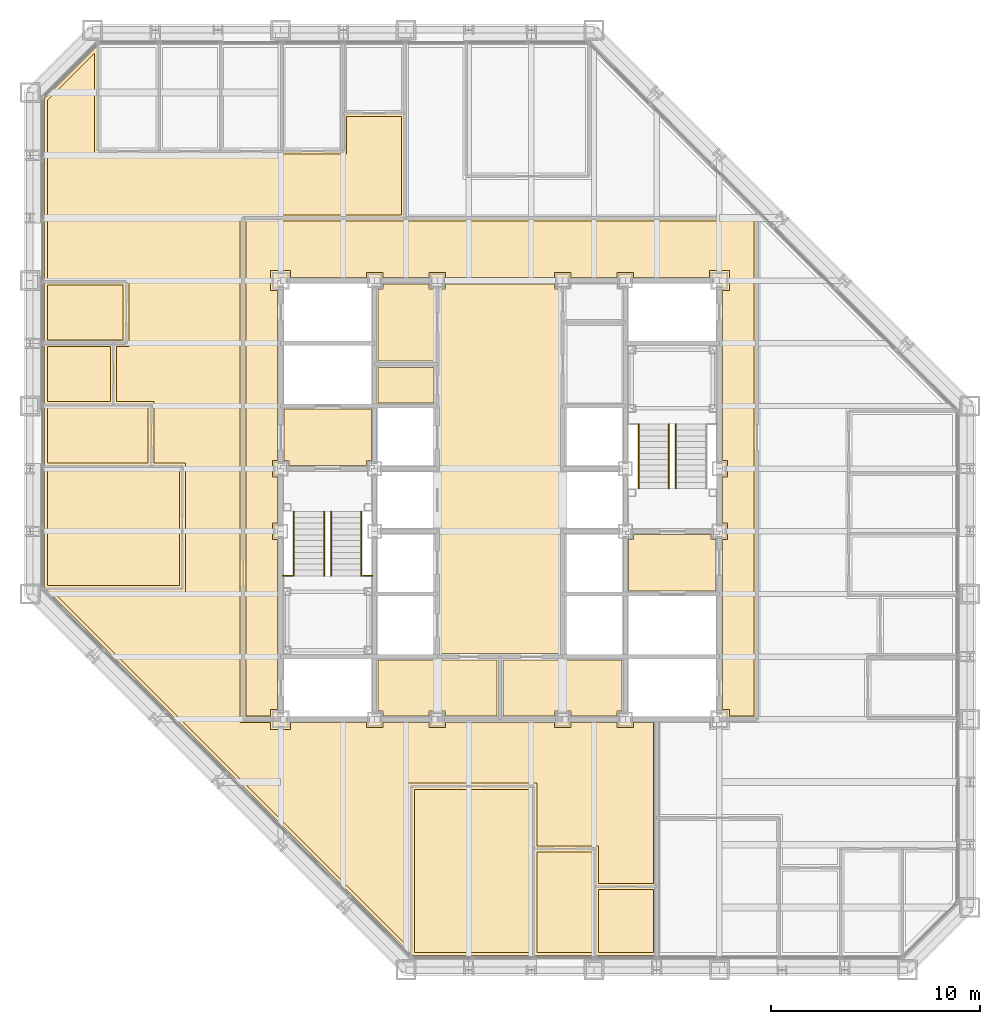
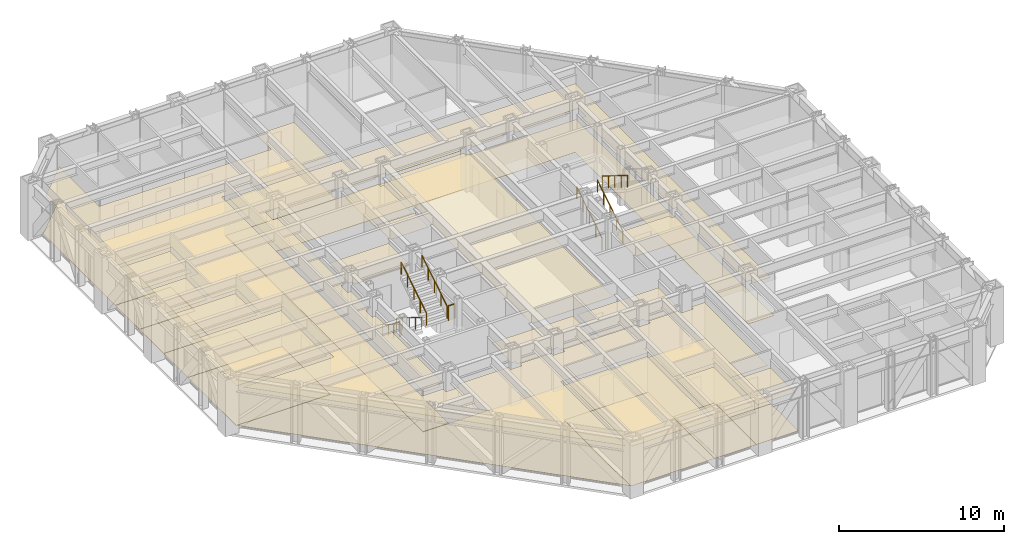
# One storey, part 14 of 16: 25 coverings, 9 railings.
"""IFC4 building model written with IfcOpenShell, lengths in metres."""

from ifc_helpers import new_model, si_unit, direction, frame, origin, origin_2d, place, context, subcontext, project, spatial, polyline, circle, outline, extrude, material, layer, layer_set, type_object, element, save


model = new_model("IFC4")

# Units and contexts
model_context = context("Model", 3, precision=1e-05, world=origin(), true_north=direction((0.0, 1.0)))
body_context = subcontext(model_context, "Body", "Model", "MODEL_VIEW")
ifc_project = project(units=[si_unit("LENGTHUNIT", "METRE"), si_unit("AREAUNIT", "SQUARE_METRE"), si_unit("VOLUMEUNIT", "CUBIC_METRE"), si_unit("PLANEANGLEUNIT", "RADIAN"), si_unit("MASSUNIT", "GRAM", prefix="KILO")], contexts=[model_context])

# Site, building, storey
site_placement = place(None, origin())
site = spatial("IfcSite", under=ifc_project, at=site_placement, CompositionType="ELEMENT")
building_placement = place(site_placement, origin())
building = spatial("IfcBuilding", under=site, at=building_placement, Name="Chuquiago Exchange Tower", CompositionType="ELEMENT")
storey_placement = place(building_placement, frame((0.0, 0.0, 119.39990234375)))
storey = spatial("IfcBuildingStorey", under=building, at=storey_placement, Name="L25", CompositionType="ELEMENT", Elevation=119.39990234375)

# Coverings
ifc_material_1 = material(Name="Mineral fibre tile, 600 x 600, on pale metal grid", Category="mineral fibre")
ifc_layer_1 = layer(ifc_material_1, 0.02001953125)
ifc_layer_set_1 = layer_set([ifc_layer_1], Name="CL1 suspended tile ceiling 20")
covering_type_1 = type_object("IfcCoveringType", Name="CL1 suspended tile ceiling 20", PredefinedType="CEILING", material=ifc_layer_set_1)
covering_1_placement = place(storey_placement, frame((0.0, 0.0, 2.800048828125)))
element("IfcCovering", 1, at=covering_1_placement, inside=storey, type_object=covering_type_1, Name="Ceiling Settlement office", PredefinedType="CEILING", context=body_context, shape_type="SweptSolid", body=[
    extrude(outline(polyline([(18.3984375, 8.64990234375), (23.974365234375, 8.64990234375), (23.974365234375, 0.85009765625), (18.3984375, 0.85009765625), (18.3984375, 8.64990234375)])), origin(), (0.0, 0.0, 1.0), 0.02001953125),
])
covering_2_placement = place(storey_placement, frame((0.0, 0.0, 2.800048828125)))
element("IfcCovering", 2, at=covering_2_placement, inside=storey, type_object=covering_type_1, Name="Ceiling Office", PredefinedType="CEILING", context=body_context, shape_type="SweptSolid", body=[
    extrude(outline(polyline([(24.2744140625, 5.64990234375), (26.912109375, 5.64990234375), (26.912109375, 0.85009765625), (24.2744140625, 0.85009765625), (24.2744140625, 5.64990234375)])), origin(), (0.0, 0.0, 1.0), 0.02001953125),
])
covering_3_placement = place(storey_placement, frame((0.0, 0.0, 2.800048828125)))
element("IfcCovering", 3, at=covering_3_placement, inside=storey, type_object=covering_type_1, Name="Ceiling Focus room", PredefinedType="CEILING", context=body_context, shape_type="SweptSolid", body=[
    extrude(outline(polyline([(27.212158203125, 3.85009765625), (29.85009765625, 3.85009765625), (29.85009765625, 0.85009765625), (27.212158203125, 0.85009765625), (27.212158203125, 3.85009765625)])), origin(), (0.0, 0.0, 1.0), 0.02001953125),
])
covering_4_placement = place(storey_placement, frame((0.0, 0.0, 2.800048828125)))
element("IfcCovering", 4, at=covering_4_placement, inside=storey, type_object=covering_type_1, Name="Ceiling Conference room", PredefinedType="CEILING", context=body_context, shape_type="SweptSolid", body=[
    extrude(outline(polyline([(0.85009765625, 23.974365234375), (7.14990234375, 23.974365234375), (7.14990234375, 18.3984375), (0.85009765625, 18.3984375), (0.85009765625, 23.974365234375)])), origin(), (0.0, 0.0, 1.0), 0.02001953125),
])
covering_5_placement = place(storey_placement, frame((0.0, 0.0, 2.800048828125)))
element("IfcCovering", 5, at=covering_5_placement, inside=storey, type_object=covering_type_1, Name="Ceiling Office", PredefinedType="CEILING", context=body_context, shape_type="SweptSolid", body=[
    extrude(outline(polyline([(5.64990234375, 26.912109375), (5.64990234375, 24.2744140625), (0.85009765625, 24.2744140625), (0.85009765625, 26.912109375), (5.64990234375, 26.912109375)])), origin(), (0.0, 0.0, 1.0), 0.02001953125),
])
covering_6_placement = place(storey_placement, frame((0.0, 0.0, 2.800048828125)))
element("IfcCovering", 6, at=covering_6_placement, inside=storey, type_object=covering_type_1, Name="Ceiling Focus room", PredefinedType="CEILING", context=body_context, shape_type="SweptSolid", body=[
    extrude(outline(polyline([(3.85009765625, 29.85009765625), (3.85009765625, 27.212158203125), (0.85009765625, 27.212158203125), (0.85009765625, 29.85009765625), (3.85009765625, 29.85009765625)])), origin(), (0.0, 0.0, 1.0), 0.02001953125),
])
covering_7_placement = place(storey_placement, frame((0.0, 0.0, 2.800048828125)))
element("IfcCovering", 7, at=covering_7_placement, inside=storey, type_object=covering_type_1, Name="Ceiling Pantry", PredefinedType="CEILING", context=body_context, shape_type="SweptSolid", body=[
    extrude(outline(polyline([(4.449951171875, 32.787841796875), (4.449951171875, 30.14990234375), (0.85009765625, 30.14990234375), (0.85009765625, 32.787841796875), (4.449951171875, 32.787841796875)])), origin(), (0.0, 0.0, 1.0), 0.02001953125),
])
covering_8_placement = place(storey_placement, frame((0.0, 0.0, 2.800048828125)))
element("IfcCovering", 8, at=covering_8_placement, inside=storey, type_object=covering_type_1, Name="Ceiling Open office west suite", PredefinedType="CEILING", context=body_context, shape_type="SweptSolid", body=[
    extrude(outline(polyline([(3.098388671875, 39.050048828125), (15.14990234375, 39.050048828125), (15.14990234375, 40.85009765625), (17.787353515625, 40.85009765625), (17.787353515625, 36.150390625), (10.049560546875, 36.150146484375), (10.049560546875, 11.849609375), (11.52490234375, 11.849609375), (11.52490234375, 11.52490234375), (12.47509765625, 11.52490234375), (12.47509765625, 11.849609375), (16.10009765625, 11.849853515625), (16.10009765625, 11.60009765625), (16.89990234375, 11.60009765625), (16.89990234375, 11.849853515625), (19.10009765625, 11.849853515625), (19.10009765625, 11.60009765625), (19.89990234375, 11.60009765625), (19.89990234375, 11.849853515625), (25.10009765625, 11.849853515625), (25.10009765625, 11.60009765625), (25.89990234375, 11.60009765625), (25.89990234375, 11.849853515625), (28.10009765625, 11.85009765625), (28.10009765625, 11.60009765625), (28.89990234375, 11.60009765625), (28.89990234375, 11.85009765625), (29.849609375, 11.85009765625), (29.849609375, 4.14990234375), (27.212158203125, 4.14990234375), (27.212158203125, 5.949951171875), (24.2744140625, 5.949951171875), (24.2744140625, 8.949951171875), (18.098388671875, 8.949951171875), (18.098388671875, 1.103515625), (1.103515625, 18.098388671875), (7.449951171875, 18.098388671875), (7.449951171875, 24.2744140625), (5.949951171875, 24.2744140625), (5.949951171875, 27.212158203125), (4.14990234375, 27.212158203125), (4.14990234375, 29.85009765625), (4.75, 29.85009765625), (4.75, 33.087890625), (0.85009765625, 33.087890625), (0.85009765625, 41.64794921875), (3.098388671875, 43.896484375), (3.098388671875, 39.050048828125)])), origin(), (0.0, 0.0, 1.0), 0.02001953125),
])
covering_9_placement = place(storey_placement, frame((0.0, 0.0, 2.800048828125)))
element("IfcCovering", 9, at=covering_9_placement, inside=storey, type_object=covering_type_1, Name="Ceiling Tenant corridor", PredefinedType="CEILING", context=body_context, shape_type="SweptSolid", body=[
    extrude(outline(polyline([(11.85009765625, 24.39990234375), (11.60009765625, 24.39990234375), (11.60009765625, 23.60009765625), (11.85009765625, 23.60009765625), (11.85009765625, 21.39990234375), (11.60009765625, 21.39990234375), (11.60009765625, 20.60009765625), (11.85009765625, 20.60009765625), (11.85009765625, 12.47509765625), (11.52490234375, 12.47509765625), (11.52490234375, 12.14990234375), (10.35009765625, 12.14990234375), (10.35009765625, 35.85009765625), (34.64990234375, 35.85009765625), (34.64990234375, 12.14990234375), (33.47509765625, 12.14990234375), (33.47509765625, 12.47509765625), (33.14990234375, 12.47509765625), (33.14990234375, 20.60009765625), (33.39990234375, 20.60009765625), (33.39990234375, 21.39990234375), (33.14990234375, 21.39990234375), (33.14990234375, 23.60009765625), (33.39990234375, 23.60009765625), (33.39990234375, 24.39990234375), (33.14990234375, 24.39990234375), (33.14990234375, 32.52490234375), (33.47509765625, 32.52490234375), (33.47509765625, 33.47509765625), (32.52490234375, 33.47509765625), (32.52490234375, 33.14990234375), (28.89990234375, 33.14990234375), (28.89990234375, 33.39990234375), (28.10009765625, 33.39990234375), (28.10009765625, 33.14990234375), (25.89990234375, 33.14990234375), (25.89990234375, 33.39990234375), (25.10009765625, 33.39990234375), (25.10009765625, 33.14990234375), (19.89990234375, 33.14990234375), (19.89990234375, 33.39990234375), (19.10009765625, 33.39990234375), (19.10009765625, 33.14990234375), (16.89990234375, 33.14990234375), (16.89990234375, 33.39990234375), (16.10009765625, 33.39990234375), (16.10009765625, 33.14990234375), (12.47509765625, 33.14990234375), (12.47509765625, 33.47509765625), (11.52490234375, 33.47509765625), (11.52490234375, 32.52490234375), (11.85009765625, 32.52490234375), (11.85009765625, 24.39990234375)])), origin(), (0.0, 0.0, 1.0), 0.02001953125),
])
covering_10_placement = place(storey_placement, frame((0.0, 0.0, 2.800048828125)))
element("IfcCovering", 10, at=covering_10_placement, inside=storey, type_object=covering_type_1, Name="Ceiling First aid room", PredefinedType="CEILING", context=body_context, shape_type="SweptSolid", body=[
    extrude(outline(polyline([(16.64990234375, 27.14990234375), (16.64990234375, 28.85009765625), (19.35009765625, 28.85009765625), (19.35009765625, 27.14990234375), (16.64990234375, 27.14990234375)])), origin(), (0.0, 0.0, 1.0), 0.02001953125),
])
ifc_material_2 = material(Name="Moisture resistant plasterboard on metal frame", Category="gypsum")
ifc_layer_2 = layer(ifc_material_2, 0.014892578125)
ifc_layer_set_2 = layer_set([ifc_layer_2], Name="CL2 moisture resistant ceiling 15")
covering_type_2 = type_object("IfcCoveringType", Name="CL2 moisture resistant ceiling 15", PredefinedType="CEILING", material=ifc_layer_set_2)
covering_11_placement = place(storey_placement, frame((0.0, 0.0, 2.60009765625)))
element("IfcCovering", 11, at=covering_11_placement, inside=storey, type_object=covering_type_2, Name="Ceiling Male WC", PredefinedType="CEILING", context=body_context, shape_type="SweptSolid", body=[
    extrude(outline(polyline([(16.64990234375, 29.14990234375), (16.64990234375, 32.60009765625), (16.89990234375, 32.60009765625), (16.89990234375, 32.85009765625), (19.10009765625, 32.85009765625), (19.10009765625, 32.60009765625), (19.35009765625, 32.60009765625), (19.35009765625, 29.14990234375), (16.64990234375, 29.14990234375)])), origin(), (0.0, 0.0, 1.0), 0.014892578125),
])
covering_12_placement = place(storey_placement, frame((0.0, 0.0, 2.60009765625)))
element("IfcCovering", 12, at=covering_12_placement, inside=storey, type_object=covering_type_2, Name="Ceiling Accessible WC", PredefinedType="CEILING", context=body_context, shape_type="SweptSolid", body=[
    extrude(outline(polyline([(25.89990234375, 12.14990234375), (25.89990234375, 12.39990234375), (25.10009765625, 12.39990234375), (25.10009765625, 12.14990234375), (22.64990234375, 12.14990234375), (22.64990234375, 14.85009765625), (28.35009765625, 14.85009765625), (28.35009765625, 12.39990234375), (28.10009765625, 12.39990234375), (28.10009765625, 12.14990234375), (25.89990234375, 12.14990234375)])), origin(), (0.0, 0.0, 1.0), 0.014892578125),
])
covering_13_placement = place(storey_placement, frame((0.0, 0.0, 2.60009765625)))
element("IfcCovering", 13, at=covering_13_placement, inside=storey, type_object=covering_type_2, Name="Ceiling Cleaner", PredefinedType="CEILING", context=body_context, shape_type="SweptSolid", body=[
    extrude(outline(polyline([(19.89990234375, 12.14990234375), (19.89990234375, 12.39990234375), (19.10009765625, 12.39990234375), (19.10009765625, 12.14990234375), (16.89990234375, 12.14990234375), (16.89990234375, 12.39990234375), (16.64990234375, 12.39990234375), (16.64990234375, 14.85009765625), (22.35009765625, 14.85009765625), (22.35009765625, 12.14990234375), (19.89990234375, 12.14990234375)])), origin(), (0.0, 0.0, 1.0), 0.014892578125),
])
ifc_material_3 = material(Name="Pale metal plank ceiling, perforated", Category="aluminium")
ifc_layer_3 = layer(ifc_material_3, 0.030029296875)
ifc_layer_set_3 = layer_set([ifc_layer_3], Name="CL3 metal plank ceiling 30")
covering_type_3 = type_object("IfcCoveringType", Name="CL3 metal plank ceiling 30", PredefinedType="CEILING", material=ifc_layer_set_3)
covering_14_placement = place(storey_placement, frame((0.0, 0.0, 2.800048828125)))
element("IfcCovering", 14, at=covering_14_placement, inside=storey, type_object=covering_type_3, Name="Ceiling Lift lobby", PredefinedType="CEILING", context=body_context, shape_type="SweptSolid", body=[
    extrude(outline(polyline([(19.64990234375, 15.14990234375), (19.64990234375, 32.60009765625), (19.89990234375, 32.60009765625), (19.89990234375, 32.85009765625), (25.10009765625, 32.85009765625), (25.10009765625, 32.60009765625), (25.35009765625, 32.60009765625), (25.35009765625, 15.14990234375), (19.64990234375, 15.14990234375)])), origin(), (0.0, 0.0, 1.0), 0.030029296875),
])
covering_15_placement = place(storey_placement, frame((0.0, 0.0, 2.800048828125)))
element("IfcCovering", 15, at=covering_15_placement, inside=storey, type_object=covering_type_3, Name="Ceiling Firefighting lobby", PredefinedType="CEILING", context=body_context, shape_type="SweptSolid", body=[
    extrude(outline(polyline([(12.39990234375, 24.14990234375), (12.39990234375, 24.39990234375), (12.14990234375, 24.39990234375), (12.14990234375, 26.85009765625), (16.35009765625, 26.85009765625), (16.35009765625, 24.39990234375), (16.10009765625, 24.39990234375), (16.10009765625, 24.14990234375), (12.39990234375, 24.14990234375)])), origin(), (0.0, 0.0, 1.0), 0.030029296875),
])
covering_16_placement = place(storey_placement, frame((0.0, 0.0, 2.800048828125)))
element("IfcCovering", 16, at=covering_16_placement, inside=storey, type_object=covering_type_3, Name="Ceiling Firefighting lobby", PredefinedType="CEILING", context=body_context, shape_type="SweptSolid", body=[
    extrude(outline(polyline([(28.64990234375, 18.14990234375), (28.64990234375, 20.60009765625), (28.89990234375, 20.60009765625), (28.89990234375, 20.85009765625), (32.60009765625, 20.85009765625), (32.60009765625, 20.60009765625), (32.85009765625, 20.60009765625), (32.85009765625, 18.14990234375), (28.64990234375, 18.14990234375)])), origin(), (0.0, 0.0, 1.0), 0.030029296875),
])
ifc_material_4 = material(Name="Carpet tile, 500 x 500, on the floor slab", Category="textile")
ifc_layer_4 = layer(ifc_material_4, 0.010009765625)
ifc_layer_set_4 = layer_set([ifc_layer_4], Name="FL1 carpet tile 10")
covering_type_4 = type_object("IfcCoveringType", Name="FL1 carpet tile 10", PredefinedType="FLOORING", material=ifc_layer_set_4)
covering_17_placement = place(storey_placement, origin())
element("IfcCovering", 17, at=covering_17_placement, inside=storey, type_object=covering_type_4, Name="Floor finish Settlement office", PredefinedType="FLOORING", context=body_context, shape_type="SweptSolid", body=[
    extrude(outline(polyline([(18.289794921875, 0.699951171875), (18.24853515625, 0.741455078125), (18.24853515625, 8.800048828125), (24.124267578125, 8.800048828125), (24.124267578125, 0.699951171875), (18.289794921875, 0.699951171875)])), origin(), (0.0, 0.0, 1.0), 0.010009765625),
])
covering_18_placement = place(storey_placement, origin())
element("IfcCovering", 18, at=covering_18_placement, inside=storey, type_object=covering_type_4, Name="Floor finish Office", PredefinedType="FLOORING", context=body_context, shape_type="SweptSolid", body=[
    extrude(outline(polyline([(24.124267578125, 0.699951171875), (24.124267578125, 5.800048828125), (27.06201171875, 5.800048828125), (27.06201171875, 0.699951171875), (24.124267578125, 0.699951171875)])), origin(), (0.0, 0.0, 1.0), 0.010009765625),
])
covering_19_placement = place(storey_placement, origin())
element("IfcCovering", 19, at=covering_19_placement, inside=storey, type_object=covering_type_4, Name="Floor finish Focus room", PredefinedType="FLOORING", context=body_context, shape_type="SweptSolid", body=[
    extrude(outline(polyline([(27.06201171875, 0.699951171875), (27.06201171875, 4.0), (30.0, 4.0), (30.0, 0.699951171875), (27.06201171875, 0.699951171875)])), origin(), (0.0, 0.0, 1.0), 0.010009765625),
])
covering_20_placement = place(storey_placement, origin())
element("IfcCovering", 20, at=covering_20_placement, inside=storey, type_object=covering_type_4, Name="Floor finish Conference room", PredefinedType="FLOORING", context=body_context, shape_type="SweptSolid", body=[
    extrude(outline(polyline([(0.699951171875, 24.124267578125), (7.300048828125, 24.124267578125), (7.300048828125, 18.24853515625), (0.741455078125, 18.24853515625), (0.699951171875, 18.289794921875), (0.699951171875, 24.124267578125)])), origin(), (0.0, 0.0, 1.0), 0.010009765625),
])
covering_21_placement = place(storey_placement, origin())
element("IfcCovering", 21, at=covering_21_placement, inside=storey, type_object=covering_type_4, Name="Floor finish Office", PredefinedType="FLOORING", context=body_context, shape_type="SweptSolid", body=[
    extrude(outline(polyline([(0.699951171875, 27.06201171875), (5.800048828125, 27.06201171875), (5.800048828125, 24.124267578125), (0.699951171875, 24.124267578125), (0.699951171875, 27.06201171875)])), origin(), (0.0, 0.0, 1.0), 0.010009765625),
])
covering_22_placement = place(storey_placement, origin())
element("IfcCovering", 22, at=covering_22_placement, inside=storey, type_object=covering_type_4, Name="Floor finish Focus room", PredefinedType="FLOORING", context=body_context, shape_type="SweptSolid", body=[
    extrude(outline(polyline([(0.699951171875, 30.0), (4.0, 30.0), (4.0, 27.06201171875), (0.699951171875, 27.06201171875), (0.699951171875, 30.0)])), origin(), (0.0, 0.0, 1.0), 0.010009765625),
])
covering_23_placement = place(storey_placement, origin())
element("IfcCovering", 23, at=covering_23_placement, inside=storey, type_object=covering_type_4, Name="Floor finish Open office west suite", PredefinedType="FLOORING", context=body_context, shape_type="SweptSolid", body=[
    extrude(outline(polyline([(3.24853515625, 44.258544921875), (3.24853515625, 39.199951171875), (15.0, 39.199951171875), (15.0, 41.0), (17.9375, 41.0), (17.9375, 36.00048828125), (10.199462890625, 36.0), (10.19970703125, 11.999755859375), (29.99951171875, 12.0), (29.99951171875, 4.0), (27.06201171875, 4.0), (27.06201171875, 5.800048828125), (24.124267578125, 5.800048828125), (24.124267578125, 8.800048828125), (18.24853515625, 8.800048828125), (18.24853515625, 0.741455078125), (0.741455078125, 18.24853515625), (7.300048828125, 18.24853515625), (7.300048828125, 24.124267578125), (5.800048828125, 24.124267578125), (5.800048828125, 27.06201171875), (4.0, 27.06201171875), (4.0, 30.0), (4.60009765625, 30.0), (4.60009765625, 32.93798828125), (0.699951171875, 32.93798828125), (0.699951171875, 41.710205078125), (3.289794921875, 44.300048828125), (3.24853515625, 44.258544921875)])), origin(), (0.0, 0.0, 1.0), 0.010009765625),
])
ifc_material_5 = material(Name="Porcelain floor tile, 600 x 600, on adhesive bed", Category="ceramic")
ifc_layer_5 = layer(ifc_material_5, 0.014892578125)
ifc_layer_set_5 = layer_set([ifc_layer_5], Name="FL2 porcelain tile 15")
covering_type_5 = type_object("IfcCoveringType", Name="FL2 porcelain tile 15", PredefinedType="FLOORING", material=ifc_layer_set_5)
covering_24_placement = place(storey_placement, origin())
element("IfcCovering", 24, at=covering_24_placement, inside=storey, type_object=covering_type_5, Name="Floor finish Pantry", PredefinedType="FLOORING", context=body_context, shape_type="SweptSolid", body=[
    extrude(outline(polyline([(0.699951171875, 32.93798828125), (4.60009765625, 32.93798828125), (4.60009765625, 30.0), (0.699951171875, 30.0), (0.699951171875, 32.93798828125)])), origin(), (0.0, 0.0, 1.0), 0.01513671875),
])
covering_25_placement = place(storey_placement, origin())
element("IfcCovering", 25, at=covering_25_placement, inside=storey, type_object=covering_type_5, Name="Floor finish Tenant corridor", PredefinedType="FLOORING", context=body_context, shape_type="SweptSolid", body=[
    extrude(outline(polyline([(12.0, 33.0), (12.0, 12.0), (10.199951171875, 12.0), (10.199951171875, 36.0), (34.800048828125, 36.0), (34.800048828125, 12.0), (33.0, 12.0), (33.0, 33.0), (12.0, 33.0)])), origin(), (0.0, 0.0, 1.0), 0.01513671875),
])

# Railings
ifc_material_6 = material(Name="Pale metal guard with safety glass infill", Category="glass")
railing_type_1 = type_object("IfcRailingType", Name="GR1 guard 1100", PredefinedType="GUARDRAIL", material=ifc_material_6)
for number, where, name in (
    (26, (12.10009765625, 18.8701171875, 2.10009765625), "Guard ST1 L25 landing 2"),
    (27, (15.945068359375, 18.8701171875, 2.10009765625), "Guard ST1 L25 landing 2"),
):
    element("IfcRailing", number, at=place(storey_placement, frame(where)), inside=storey, type_object=railing_type_1, Name=name, PredefinedType="GUARDRAIL", context=body_context, shape_type="SweptSolid", body=[
        extrude(circle(Radius=0.02392578125, at=origin_2d()), frame((0.0, 0.0, 1.076171875), z_axis=(1.0, 0.0, 0.0), x_axis=(0.0, 1.0, 0.0)), (0.0, 0.0, 1.0), 0.454833984375),
        extrude(circle(Radius=0.02099609375, at=origin_2d()), origin(), (0.0, 0.0, 1.0), 1.052001953125),
        extrude(circle(Radius=0.02099609375, at=origin_2d()), frame((0.454833984375, 0.0, 0.0)), (0.0, 0.0, 1.0), 1.052001953125),
    ])
ifc_material_7 = material(Name="Pale metal handrail", Category="steel")
railing_type_2 = type_object("IfcRailingType", Name="HR1 handrail 900", PredefinedType="HANDRAIL", material=ifc_material_7)
for number, where, name in (
    (28, (12.635009765625, 21.949951171875, 0.175048828125), "Handrail ST1 L25 flight 1"),
    (29, (14.0849609375, 21.949951171875, 0.175048828125), "Handrail ST1 L25 flight 1"),
):
    element("IfcRailing", number, at=place(storey_placement, frame(where)), inside=storey, type_object=railing_type_2, Name=name, PredefinedType="HANDRAIL", context=body_context, shape_type="SweptSolid", body=[
        extrude(circle(Radius=0.02392578125, at=origin_2d()), frame((0.0, 0.0, 0.8759765625), z_axis=(0.0, -0.847979421464, 0.530029150871), x_axis=(1.0, 0.0, 0.0)), (0.0, 0.0, 1.0), 3.632080078125),
        extrude(circle(Radius=0.02099609375, at=origin_2d()), origin(), (0.0, 0.0, 1.0), 0.851806640625),
        extrude(circle(Radius=0.02099609375, at=origin_2d()), frame((0.0, -0.77001953125, 0.481201171875)), (0.0, 0.0, 1.0), 0.851806640625),
        extrude(circle(Radius=0.02099609375, at=origin_2d()), frame((0.0, -1.5400390625, 0.96240234375)), (0.0, 0.0, 1.0), 0.851806640625),
        extrude(circle(Radius=0.02099609375, at=origin_2d()), frame((0.0, -2.309814453125, 1.44384765625)), (0.0, 0.0, 1.0), 0.851806640625),
        extrude(circle(Radius=0.02099609375, at=origin_2d()), frame((0.0, -3.079833984375, 1.925048828125)), (0.0, 0.0, 1.0), 0.851806640625),
    ])
for number, where, name in (
    (30, (15.864990234375, 18.8701171875, 2.275146484375), "Handrail ST1 L25 flight 2"),
    (31, (14.4150390625, 18.8701171875, 2.275146484375), "Handrail ST1 L25 flight 2"),
    (32, (30.5849609375, 23.050048828125, 0.175048828125), "Handrail ST2 L25 flight 1"),
    (33, (29.135009765625, 23.050048828125, 0.175048828125), "Handrail ST2 L25 flight 1"),
):
    element("IfcRailing", number, at=place(storey_placement, frame(where)), inside=storey, type_object=railing_type_2, Name=name, PredefinedType="HANDRAIL", context=body_context, shape_type="SweptSolid", body=[
        extrude(circle(Radius=0.02392578125, at=origin_2d()), frame((0.0, 0.0, 0.8759765625), z_axis=(0.0, 0.847979421464, 0.530029150871), x_axis=(-1.0, 0.0, 0.0)), (0.0, 0.0, 1.0), 3.632080078125),
        extrude(circle(Radius=0.02099609375, at=origin_2d()), origin(), (0.0, 0.0, 1.0), 0.851806640625),
        extrude(circle(Radius=0.02099609375, at=origin_2d()), frame((0.0, 0.77001953125, 0.481201171875)), (0.0, 0.0, 1.0), 0.851806640625),
        extrude(circle(Radius=0.02099609375, at=origin_2d()), frame((0.0, 1.5400390625, 0.96240234375)), (0.0, 0.0, 1.0), 0.851806640625),
        extrude(circle(Radius=0.02099609375, at=origin_2d()), frame((0.0, 2.309814453125, 1.44384765625)), (0.0, 0.0, 1.0), 0.851806640625),
        extrude(circle(Radius=0.02099609375, at=origin_2d()), frame((0.0, 3.079833984375, 1.925048828125)), (0.0, 0.0, 1.0), 0.851806640625),
    ])
railing_placement = place(storey_placement, frame((30.9150390625, 26.1298828125, 2.275146484375)))
element("IfcRailing", 34, at=railing_placement, inside=storey, type_object=railing_type_2, Name="Handrail ST2 L25 flight 2", PredefinedType="HANDRAIL", context=body_context, shape_type="SweptSolid", body=[
    extrude(circle(Radius=0.02392578125, at=origin_2d()), frame((0.0, 0.0, 0.8759765625), z_axis=(0.0, -0.847979421464, 0.530029150871), x_axis=(1.0, 0.0, 0.0)), (0.0, 0.0, 1.0), 3.632080078125),
    extrude(circle(Radius=0.02099609375, at=origin_2d()), origin(), (0.0, 0.0, 1.0), 0.851806640625),
    extrude(circle(Radius=0.02099609375, at=origin_2d()), frame((0.0, -0.77001953125, 0.481201171875)), (0.0, 0.0, 1.0), 0.851806640625),
    extrude(circle(Radius=0.02099609375, at=origin_2d()), frame((0.0, -1.5400390625, 0.96240234375)), (0.0, 0.0, 1.0), 0.851806640625),
    extrude(circle(Radius=0.02099609375, at=origin_2d()), frame((0.0, -2.309814453125, 1.44384765625)), (0.0, 0.0, 1.0), 0.851806640625),
    extrude(circle(Radius=0.02099609375, at=origin_2d()), frame((0.0, -3.079833984375, 1.925048828125)), (0.0, 0.0, 1.0), 0.851806640625),
])

save(model, "model.ifc")
